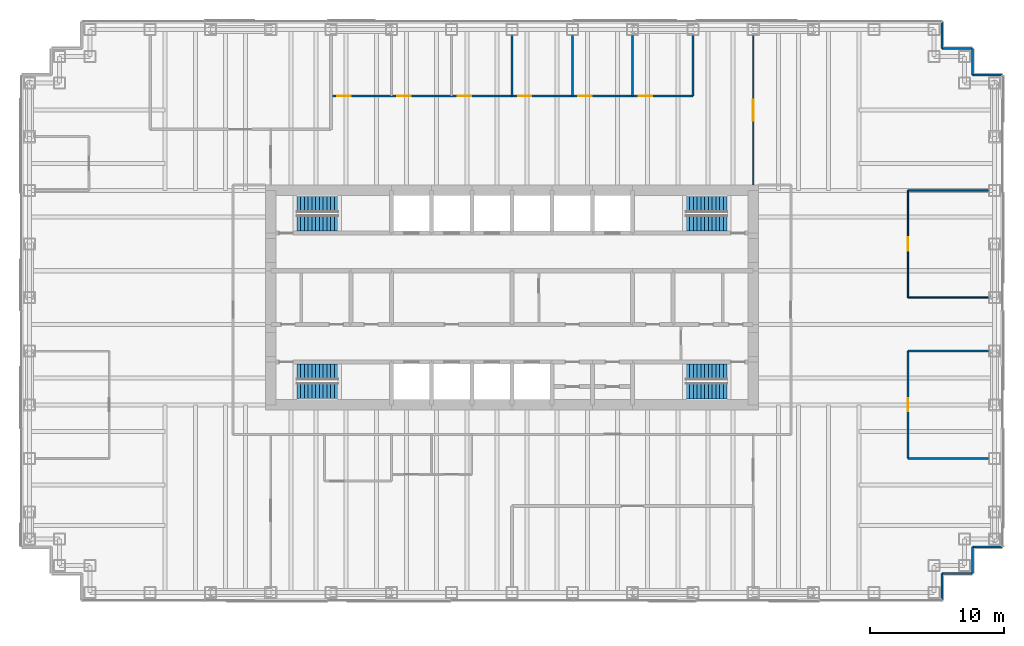
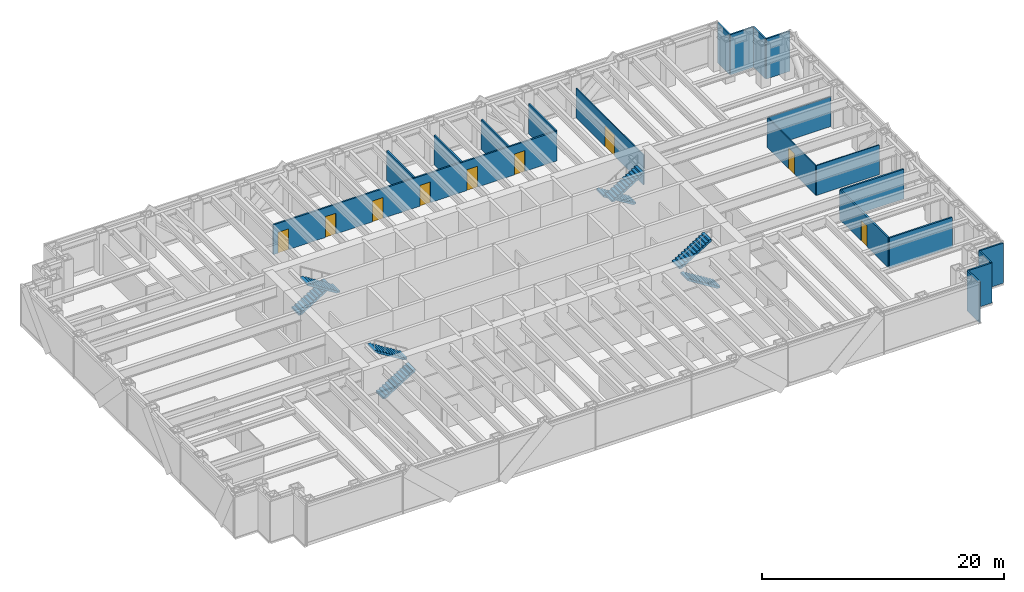
# One storey, part 13 of 14: 20 walls, 9 doors, 8 stair flights, 9 openings, 4 elements without a shape of their own.
"""IFC4 building model written with IfcOpenShell, lengths in metres."""

from ifc_helpers import new_model, si_unit, direction, frame, frame_2d, origin, place, context, subcontext, project, spatial, polyline, rectangle, outline, extrude, material, layer, layer_set, type_object, element, fill, aggregate, save


model = new_model("IFC4")

# Units and contexts
model_context = context("Model", 3, precision=1e-05, world=origin(), true_north=direction((0.0, 1.0)))
body_context = subcontext(model_context, "Body", "Model", "MODEL_VIEW")
ifc_project = project(units=[si_unit("LENGTHUNIT", "METRE"), si_unit("AREAUNIT", "SQUARE_METRE"), si_unit("VOLUMEUNIT", "CUBIC_METRE"), si_unit("PLANEANGLEUNIT", "RADIAN"), si_unit("MASSUNIT", "GRAM", prefix="KILO")], contexts=[model_context])

# Site, building, storey
site_placement = place(None, origin())
site = spatial("IfcSite", under=ifc_project, at=site_placement, CompositionType="ELEMENT")
building_placement = place(site_placement, origin())
building = spatial("IfcBuilding", under=site, at=building_placement, Name="Rheinbord Bourse Tower", CompositionType="ELEMENT")
storey_placement = place(building_placement, frame((0.0, 0.0, 232.0)))
storey = spatial("IfcBuildingStorey", under=building, at=storey_placement, Name="L52", CompositionType="ELEMENT", Elevation=232.0)

# Walls
ifc_material_1 = material(Name="Black metal rainscreen panel", Category="aluminium")
ifc_layer_1 = layer(ifc_material_1, 0.14990234375)
ifc_layer_set_1 = layer_set([ifc_layer_1], Name="CORNER PIER CLADDING 150")
wall_type_1 = type_object("IfcWallType", Name="CORNER PIER CLADDING 150", PredefinedType="ELEMENTEDWALL", material=ifc_layer_set_1)
wall_1_placement = place(storey_placement, frame((68.10009765625, 1.39990234375, 0.0), z_axis=(0.0, 0.0, 1.0), x_axis=(0.0, 1.0, 0.0)))
element("IfcWall", 1, at=wall_1_placement, inside=storey, type_object=wall_type_1, Name="Corner pier cladding L52 2", PredefinedType="ELEMENTEDWALL", context=body_context, shape_type="SweptSolid", body=[
    extrude(rectangle(XDim=2.0, YDim=0.14990234375, at=frame_2d((1.0, 0.0))), origin(), (0.0, 0.0, 1.0), 4.0400390625),
])
wall_2_placement = place(storey_placement, frame((68.10009765625, 3.39990234375, 0.0), z_axis=(0.0, 0.0, 1.0), x_axis=(1.0, 0.0, 0.0)))
element("IfcWall", 2, at=wall_2_placement, inside=storey, type_object=wall_type_1, Name="Corner pier cladding L52 3", PredefinedType="ELEMENTEDWALL", context=body_context, shape_type="SweptSolid", body=[
    extrude(rectangle(XDim=2.25, YDim=0.14990234375, at=frame_2d((1.125, 0.0))), origin(), (0.0, 0.0, 1.0), 4.0400390625),
])
wall_3_placement = place(storey_placement, frame((70.35009765625, 3.39990234375, 0.0), z_axis=(0.0, 0.0, 1.0), x_axis=(0.0, 1.0, 0.0)))
element("IfcWall", 3, at=wall_3_placement, inside=storey, type_object=wall_type_1, Name="Corner pier cladding L52 4", PredefinedType="ELEMENTEDWALL", context=body_context, shape_type="SweptSolid", body=[
    extrude(rectangle(XDim=2.0, YDim=0.14990234375, at=frame_2d((1.0, 0.0))), origin(), (0.0, 0.0, 1.0), 4.0400390625),
])
for number, where, z_axis, x_axis, name in (
    (4, (70.35009765625, 5.39990234375, 0.0), (0.0, 0.0, 1.0), (1.0, 0.0, 0.0), "Corner pier cladding L52 5"),
    (5, (72.60009765625, 40.60009765625, 0.0), (0.0, 0.0, 1.0), (-1.0, 0.0, 0.0), "Corner pier cladding L52 7"),
):
    element("IfcWall", number, at=place(storey_placement, frame(where, z_axis=z_axis, x_axis=x_axis)), inside=storey, type_object=wall_type_1, Name=name, PredefinedType="ELEMENTEDWALL", context=body_context, shape_type="SweptSolid", body=[
        extrude(rectangle(XDim=2.25, YDim=0.14990234375, at=frame_2d((1.125, 0.0))), origin(), (0.0, 0.0, 1.0), 4.0400390625),
    ])
wall_4_placement = place(storey_placement, frame((70.35009765625, 40.60009765625, 0.0), z_axis=(0.0, 0.0, 1.0), x_axis=(0.0, 1.0, 0.0)))
element("IfcWall", 6, at=wall_4_placement, inside=storey, type_object=wall_type_1, Name="Corner pier cladding L52 8", PredefinedType="ELEMENTEDWALL", context=body_context, shape_type="SweptSolid", body=[
    extrude(rectangle(XDim=2.0, YDim=0.14990234375, at=frame_2d((1.0, 0.0))), origin(), (0.0, 0.0, 1.0), 4.0400390625),
])
wall_5_placement = place(storey_placement, frame((70.35009765625, 42.60009765625, 0.0), z_axis=(0.0, 0.0, 1.0), x_axis=(-1.0, 0.0, 0.0)))
element("IfcWall", 7, at=wall_5_placement, inside=storey, type_object=wall_type_1, Name="Corner pier cladding L52 9", PredefinedType="ELEMENTEDWALL", context=body_context, shape_type="SweptSolid", body=[
    extrude(rectangle(XDim=2.25, YDim=0.14990234375, at=frame_2d((1.125, 0.0))), origin(), (0.0, 0.0, 1.0), 4.0400390625),
])
wall_6_placement = place(storey_placement, frame((68.10009765625, 42.60009765625, 0.0), z_axis=(0.0, 0.0, 1.0), x_axis=(0.0, 1.0, 0.0)))
element("IfcWall", 8, at=wall_6_placement, inside=storey, type_object=wall_type_1, Name="Corner pier cladding L52 10", PredefinedType="ELEMENTEDWALL", context=body_context, shape_type="SweptSolid", body=[
    extrude(rectangle(XDim=2.0, YDim=0.14990234375, at=frame_2d((1.0, 0.0))), origin(), (0.0, 0.0, 1.0), 4.0400390625),
])
ifc_material_2 = material(Name="Toughened laminated glass partition", Category="glass")
ifc_layer_2 = layer(ifc_material_2, 0.10009765625)
ifc_layer_set_2 = layer_set([ifc_layer_2], Name="GLAZED PARTITION 100")
wall_type_2 = type_object("IfcWallType", Name="GLAZED PARTITION 100", PredefinedType="PARTITIONING", material=ifc_layer_set_2)
for number, where, z_axis, x_axis, name in (
    (9, (65.550048828125, 24.0, 0.0), (0.0, 0.0, 1.0), (1.0, 0.0, 0.0), "Partition L52-11"),
    (10, (65.550048828125, 32.0, 0.0), (0.0, 0.0, 1.0), (1.0, 0.0, 0.0), "Partition L52-13"),
):
    element("IfcWall", number, at=place(storey_placement, frame(where, z_axis=z_axis, x_axis=x_axis)), inside=storey, type_object=wall_type_2, Name=name, PredefinedType="PARTITIONING", context=body_context, shape_type="SweptSolid", body=[
        extrude(rectangle(XDim=6.0, YDim=0.10009765625, at=frame_2d((3.0, 0.0))), origin(), (0.0, 0.0, 1.0), 3.0),
    ])

# Wall, opening, door
wall_7_placement = place(storey_placement, frame((54.0, 32.39990234375, 0.0), z_axis=(0.0, 0.0, 1.0), x_axis=(0.0, 1.0, 0.0)))
wall_7 = element("IfcWall", 11, at=wall_7_placement, inside=storey, type_object=wall_type_2, Name="Partition L52-39", PredefinedType="PARTITIONING", context=body_context, shape_type="SweptSolid", body=[
    extrude(rectangle(XDim=11.150146484375, YDim=0.10009765625, at=frame_2d((5.5751953125, 0.0))), origin(), (0.0, 0.0, 1.0), 3.0),
])
opening_1_placement = place(wall_7_placement, frame((4.77490234375, 0.0, 0.0)))
opening_1 = element("IfcOpeningElement", 12, at=opening_1_placement, cuts=wall_7, Name="Opening 52D19", PredefinedType="OPENING", context=body_context, shape_type="SweptSolid", body=[
    extrude(rectangle(XDim=1.60009765625, YDim=2.10009765625, at=frame_2d((0.800048828125, 1.050048828125))), frame((0.0, 0.06005859375, 0.0), z_axis=(0.0, -1.0, 0.0), x_axis=(1.0, 0.0, 0.0)), (0.0, 0.0, 1.0), 0.1201171875),
])
ifc_material_3 = material(Name="Timber door", Category="wood")
door_type_1 = type_object("IfcDoorType", Name="DOUBLE ROOM DOOR 1600", OperationType="DOUBLE_DOOR_DOUBLE_SWING", PredefinedType="DOOR", material=ifc_material_3)
door_1_placement = place(opening_1_placement, origin())
door_1 = element("IfcDoor", 13, at=door_1_placement, inside=storey, type_object=door_type_1, Name="Open area door L52", OperationType="SINGLE_SWING_LEFT", OverallHeight=2.10009765625, OverallWidth=1.60009765625, PredefinedType="DOOR", context=body_context, shape_type="SweptSolid", body=[
    extrude(rectangle(XDim=1.60009765625, YDim=2.10009765625, at=frame_2d((0.800048828125, 1.050048828125))), frame((0.0, 0.02490234375, 0.0), z_axis=(0.0, -1.0, 0.0), x_axis=(1.0, 0.0, 0.0)), (0.0, 0.0, 1.0), 0.050048828125),
])
fill(opening_1, door_1)

wall_8_placement = place(storey_placement, frame((65.550048828125, 24.0, 0.0), z_axis=(0.0, 0.0, 1.0), x_axis=(0.0, 1.0, 0.0)))
wall_8 = element("IfcWall", 14, at=wall_8_placement, inside=storey, type_object=wall_type_2, Name="Partition L52-42", PredefinedType="PARTITIONING", context=body_context, shape_type="SweptSolid", body=[
    extrude(rectangle(XDim=8.0, YDim=0.10009765625, at=frame_2d((4.0, 0.0))), origin(), (0.0, 0.0, 1.0), 3.0),
])
opening_2_placement = place(wall_8_placement, frame((3.5, 0.0, 0.0)))
opening_2 = element("IfcOpeningElement", 15, at=opening_2_placement, cuts=wall_8, Name="Opening 52D07", PredefinedType="OPENING", context=body_context, shape_type="SweptSolid", body=[
    extrude(rectangle(XDim=1.0, YDim=2.10009765625, at=frame_2d((0.5, 1.050048828125))), frame((0.0, 0.06005859375, 0.0), z_axis=(0.0, -1.0, 0.0), x_axis=(1.0, 0.0, 0.0)), (0.0, 0.0, 1.0), 0.1201171875),
])
ifc_material_4 = material(Name="Timber door", Category="wood")
door_type_2 = type_object("IfcDoorType", Name="ROOM DOOR 1000", OperationType="SINGLE_SWING_LEFT", PredefinedType="DOOR", material=ifc_material_4)
door_2_placement = place(opening_2_placement, origin())
door_2 = element("IfcDoor", 16, at=door_2_placement, inside=storey, type_object=door_type_2, Name="Meeting room door L52", OperationType="SINGLE_SWING_LEFT", OverallHeight=2.10009765625, OverallWidth=1.0, PredefinedType="DOOR", context=body_context, shape_type="SweptSolid", body=[
    extrude(rectangle(XDim=1.0, YDim=2.10009765625, at=frame_2d((0.5, 1.050048828125))), frame((0.0, 0.02490234375, 0.0), z_axis=(0.0, -1.0, 0.0), x_axis=(1.0, 0.0, 0.0)), (0.0, 0.0, 1.0), 0.050048828125),
])
fill(opening_2, door_2)

# Walls
ifc_material_5 = material(Name="Gypsum board partition", Category="gypsum board")
ifc_layer_3 = layer(ifc_material_5, 0.14990234375)
ifc_layer_set_3 = layer_set([ifc_layer_3], Name="PARTITION 150")
wall_type_3 = type_object("IfcWallType", Name="PARTITION 150", PredefinedType="PARTITIONING", material=ifc_layer_set_3)
for number, where, z_axis, x_axis, name in (
    (17, (65.550048828125, 12.0, 0.0), (0.0, 0.0, 1.0), (1.0, 0.0, 0.0), "Partition L52-05"),
    (18, (65.550048828125, 20.0, 0.0), (0.0, 0.0, 1.0), (1.0, 0.0, 0.0), "Partition L52-10"),
):
    element("IfcWall", number, at=place(storey_placement, frame(where, z_axis=z_axis, x_axis=x_axis)), inside=storey, type_object=wall_type_3, Name=name, PredefinedType="PARTITIONING", context=body_context, shape_type="SweptSolid", body=[
        extrude(rectangle(XDim=6.0, YDim=0.14990234375, at=frame_2d((3.0, 0.0))), origin(), (0.0, 0.0, 1.0), 3.0),
    ])

# Wall, openings, doors
wall_9_placement = place(storey_placement, frame((22.5, 39.050048828125, 0.0), z_axis=(0.0, 0.0, 1.0), x_axis=(1.0, 0.0, 0.0)))
wall_9 = element("IfcWall", 19, at=wall_9_placement, inside=storey, type_object=wall_type_3, Name="Partition L52-18", PredefinedType="PARTITIONING", context=body_context, shape_type="SweptSolid", body=[
    extrude(rectangle(XDim=27.0, YDim=0.14990234375, at=frame_2d((13.5, 0.0))), origin(), (0.0, 0.0, 1.0), 3.0),
])
opening_3_placement = place(wall_9_placement, frame((0.449951171875, 0.0, 0.0)))
opening_3 = element("IfcOpeningElement", 20, at=opening_3_placement, cuts=wall_9, Name="Opening 52D10", PredefinedType="OPENING", context=body_context, shape_type="SweptSolid", body=[
    extrude(rectangle(XDim=1.0, YDim=2.10009765625, at=frame_2d((0.5, 1.050048828125))), frame((0.0, 0.0849609375, 0.0), z_axis=(0.0, -1.0, 0.0), x_axis=(1.0, 0.0, 0.0)), (0.0, 0.0, 1.0), 0.169921875),
])
opening_4_placement = place(wall_9_placement, frame((4.949951171875, 0.0, 0.0)))
opening_4 = element("IfcOpeningElement", 21, at=opening_4_placement, cuts=wall_9, Name="Opening 52D11", PredefinedType="OPENING", context=body_context, shape_type="SweptSolid", body=[
    extrude(rectangle(XDim=1.0, YDim=2.10009765625, at=frame_2d((0.5, 1.050048828125))), frame((0.0, 0.0849609375, 0.0), z_axis=(0.0, -1.0, 0.0), x_axis=(1.0, 0.0, 0.0)), (0.0, 0.0, 1.0), 0.169921875),
])
opening_5_placement = place(wall_9_placement, frame((9.449951171875, 0.0, 0.0)))
opening_5 = element("IfcOpeningElement", 22, at=opening_5_placement, cuts=wall_9, Name="Opening 52D12", PredefinedType="OPENING", context=body_context, shape_type="SweptSolid", body=[
    extrude(rectangle(XDim=1.0, YDim=2.10009765625, at=frame_2d((0.5, 1.050048828125))), frame((0.0, 0.0849609375, 0.0), z_axis=(0.0, -1.0, 0.0), x_axis=(1.0, 0.0, 0.0)), (0.0, 0.0, 1.0), 0.169921875),
])
opening_6_placement = place(wall_9_placement, frame((13.949951171875, 0.0, 0.0)))
opening_6 = element("IfcOpeningElement", 23, at=opening_6_placement, cuts=wall_9, Name="Opening 52D13", PredefinedType="OPENING", context=body_context, shape_type="SweptSolid", body=[
    extrude(rectangle(XDim=1.0, YDim=2.10009765625, at=frame_2d((0.5, 1.050048828125))), frame((0.0, 0.0849609375, 0.0), z_axis=(0.0, -1.0, 0.0), x_axis=(1.0, 0.0, 0.0)), (0.0, 0.0, 1.0), 0.169921875),
])
opening_7_placement = place(wall_9_placement, frame((18.449951171875, 0.0, 0.0)))
opening_7 = element("IfcOpeningElement", 24, at=opening_7_placement, cuts=wall_9, Name="Opening 52D14", PredefinedType="OPENING", context=body_context, shape_type="SweptSolid", body=[
    extrude(rectangle(XDim=1.0, YDim=2.10009765625, at=frame_2d((0.5, 1.050048828125))), frame((0.0, 0.0849609375, 0.0), z_axis=(0.0, -1.0, 0.0), x_axis=(1.0, 0.0, 0.0)), (0.0, 0.0, 1.0), 0.169921875),
])
opening_8_placement = place(wall_9_placement, frame((22.949951171875, 0.0, 0.0)))
opening_8 = element("IfcOpeningElement", 25, at=opening_8_placement, cuts=wall_9, Name="Opening 52D15", PredefinedType="OPENING", context=body_context, shape_type="SweptSolid", body=[
    extrude(rectangle(XDim=1.0, YDim=2.10009765625, at=frame_2d((0.5, 1.050048828125))), frame((0.0, 0.0849609375, 0.0), z_axis=(0.0, -1.0, 0.0), x_axis=(1.0, 0.0, 0.0)), (0.0, 0.0, 1.0), 0.169921875),
])
door_3_placement = place(opening_3_placement, origin())
door_3 = element("IfcDoor", 26, at=door_3_placement, inside=storey, type_object=door_type_2, Name="Office door L52", OperationType="SINGLE_SWING_LEFT", OverallHeight=2.10009765625, OverallWidth=1.0, PredefinedType="DOOR", context=body_context, shape_type="SweptSolid", body=[
    extrude(rectangle(XDim=1.0, YDim=2.10009765625, at=frame_2d((0.5, 1.050048828125))), frame((0.0, 0.02490234375, 0.0), z_axis=(0.0, -1.0, 0.0), x_axis=(1.0, 0.0, 0.0)), (0.0, 0.0, 1.0), 0.050048828125),
])
fill(opening_3, door_3)
door_4_placement = place(opening_4_placement, origin())
door_4 = element("IfcDoor", 27, at=door_4_placement, inside=storey, type_object=door_type_2, Name="Office door L52", OperationType="SINGLE_SWING_LEFT", OverallHeight=2.10009765625, OverallWidth=1.0, PredefinedType="DOOR", context=body_context, shape_type="SweptSolid", body=[
    extrude(rectangle(XDim=1.0, YDim=2.10009765625, at=frame_2d((0.5, 1.050048828125))), frame((0.0, 0.02490234375, 0.0), z_axis=(0.0, -1.0, 0.0), x_axis=(1.0, 0.0, 0.0)), (0.0, 0.0, 1.0), 0.050048828125),
])
fill(opening_4, door_4)
door_5_placement = place(opening_5_placement, origin())
door_5 = element("IfcDoor", 28, at=door_5_placement, inside=storey, type_object=door_type_2, Name="Office door L52", OperationType="SINGLE_SWING_LEFT", OverallHeight=2.10009765625, OverallWidth=1.0, PredefinedType="DOOR", context=body_context, shape_type="SweptSolid", body=[
    extrude(rectangle(XDim=1.0, YDim=2.10009765625, at=frame_2d((0.5, 1.050048828125))), frame((0.0, 0.02490234375, 0.0), z_axis=(0.0, -1.0, 0.0), x_axis=(1.0, 0.0, 0.0)), (0.0, 0.0, 1.0), 0.050048828125),
])
fill(opening_5, door_5)
door_6_placement = place(opening_6_placement, origin())
door_6 = element("IfcDoor", 29, at=door_6_placement, inside=storey, type_object=door_type_2, Name="Office door L52", OperationType="SINGLE_SWING_RIGHT", OverallHeight=2.10009765625, OverallWidth=1.0, PredefinedType="DOOR", context=body_context, shape_type="SweptSolid", body=[
    extrude(rectangle(XDim=1.0, YDim=2.10009765625, at=frame_2d((0.5, 1.050048828125))), frame((0.0, 0.02490234375, 0.0), z_axis=(0.0, -1.0, 0.0), x_axis=(1.0, 0.0, 0.0)), (0.0, 0.0, 1.0), 0.050048828125),
])
fill(opening_6, door_6)
door_7_placement = place(opening_7_placement, origin())
door_7 = element("IfcDoor", 30, at=door_7_placement, inside=storey, type_object=door_type_2, Name="Office door L52", OperationType="SINGLE_SWING_RIGHT", OverallHeight=2.10009765625, OverallWidth=1.0, PredefinedType="DOOR", context=body_context, shape_type="SweptSolid", body=[
    extrude(rectangle(XDim=1.0, YDim=2.10009765625, at=frame_2d((0.5, 1.050048828125))), frame((0.0, 0.02490234375, 0.0), z_axis=(0.0, -1.0, 0.0), x_axis=(1.0, 0.0, 0.0)), (0.0, 0.0, 1.0), 0.050048828125),
])
fill(opening_7, door_7)
door_8_placement = place(opening_8_placement, origin())
door_8 = element("IfcDoor", 31, at=door_8_placement, inside=storey, type_object=door_type_2, Name="Office door L52", OperationType="SINGLE_SWING_RIGHT", OverallHeight=2.10009765625, OverallWidth=1.0, PredefinedType="DOOR", context=body_context, shape_type="SweptSolid", body=[
    extrude(rectangle(XDim=1.0, YDim=2.10009765625, at=frame_2d((0.5, 1.050048828125))), frame((0.0, 0.02490234375, 0.0), z_axis=(0.0, -1.0, 0.0), x_axis=(1.0, 0.0, 0.0)), (0.0, 0.0, 1.0), 0.050048828125),
])
fill(opening_8, door_8)

# Walls
for number, where, z_axis, x_axis, name in (
    (32, (36.0, 39.050048828125, 0.0), (0.0, 0.0, 1.0), (0.0, 1.0, 0.0), "Partition L52-33"),
    (33, (40.5, 39.050048828125, 0.0), (0.0, 0.0, 1.0), (0.0, 1.0, 0.0), "Partition L52-34"),
    (34, (45.0, 39.050048828125, 0.0), (0.0, 0.0, 1.0), (0.0, 1.0, 0.0), "Partition L52-35"),
    (35, (49.5, 39.050048828125, 0.0), (0.0, 0.0, 1.0), (0.0, 1.0, 0.0), "Partition L52-36"),
):
    element("IfcWall", number, at=place(storey_placement, frame(where, z_axis=z_axis, x_axis=x_axis)), inside=storey, type_object=wall_type_3, Name=name, PredefinedType="PARTITIONING", context=body_context, shape_type="SweptSolid", body=[
        extrude(rectangle(XDim=4.5, YDim=0.14990234375, at=frame_2d((2.25, 0.0))), origin(), (0.0, 0.0, 1.0), 3.0),
    ])

# Wall, opening, door
wall_10_placement = place(storey_placement, frame((65.550048828125, 12.0, 0.0), z_axis=(0.0, 0.0, 1.0), x_axis=(0.0, 1.0, 0.0)))
wall_10 = element("IfcWall", 36, at=wall_10_placement, inside=storey, type_object=wall_type_3, Name="Partition L52-41", PredefinedType="PARTITIONING", context=body_context, shape_type="SweptSolid", body=[
    extrude(rectangle(XDim=8.0, YDim=0.14990234375, at=frame_2d((4.0, 0.0))), origin(), (0.0, 0.0, 1.0), 3.0),
])
opening_9_placement = place(wall_10_placement, frame((3.5, 0.0, 0.0)))
opening_9 = element("IfcOpeningElement", 37, at=opening_9_placement, cuts=wall_10, Name="Opening 52D05", PredefinedType="OPENING", context=body_context, shape_type="SweptSolid", body=[
    extrude(rectangle(XDim=1.0, YDim=2.10009765625, at=frame_2d((0.5, 1.050048828125))), frame((0.0, 0.0849609375, 0.0), z_axis=(0.0, -1.0, 0.0), x_axis=(1.0, 0.0, 0.0)), (0.0, 0.0, 1.0), 0.169921875),
])
door_9_placement = place(opening_9_placement, origin())
door_9 = element("IfcDoor", 38, at=door_9_placement, inside=storey, type_object=door_type_2, Name="Pantry door L52", OperationType="SINGLE_SWING_LEFT", OverallHeight=2.10009765625, OverallWidth=1.0, PredefinedType="DOOR", context=body_context, shape_type="SweptSolid", body=[
    extrude(rectangle(XDim=1.0, YDim=2.10009765625, at=frame_2d((0.5, 1.050048828125))), frame((0.0, 0.02490234375, 0.0), z_axis=(0.0, -1.0, 0.0), x_axis=(1.0, 0.0, 0.0)), (0.0, 0.0, 1.0), 0.050048828125),
])
fill(opening_9, door_9)

# Stair, stair flights
ifc_material_6 = material(Name="Concrete C30/37", Category="concrete")
stair_type = type_object("IfcStairType", Name="CORE STAIR HALF TURN 4200", PredefinedType="HALF_TURN_STAIR", material=ifc_material_6)
stair_1_placement = place(storey_placement, origin())
stair_1 = element("IfcStair", 39, at=stair_1_placement, inside=storey, type_object=stair_type, Name="Stair ST1 L52, type CS6", PredefinedType="HALF_TURN_STAIR")
ifc_material_7 = material(Name="Concrete C30/37", Category="concrete")
stair_flight_type = type_object("IfcStairFlightType", Name="CORE STAIR FLIGHT 1200, 12 RISERS", PredefinedType="STRAIGHT", material=ifc_material_7)
stair_flight_1_placement = place(storey_placement, frame((19.949951171875, 17.050048828125, 0.0), z_axis=(0.0, 0.0, 1.0), x_axis=(1.0, 0.0, 0.0)))
stair_flight_1 = element("IfcStairFlight", 40, at=stair_flight_1_placement, type_object=stair_flight_type, Name="STAIR L52 ST1 F1", NumberOfRisers=12, NumberOfTreads=11, PredefinedType="STRAIGHT", RiserHeight=0.175, TreadLength=0.28, context=body_context, shape_type="SweptSolid", body=[
    extrude(outline(polyline([(0.0, 0.0), (0.0, 0.175048828125), (0.280029296875, 0.175048828125), (0.280029296875, 0.35009765625), (0.56005859375, 0.35009765625), (0.56005859375, 0.52490234375), (0.840087890625, 0.52490234375), (0.840087890625, 0.699951171875), (1.1201171875, 0.699951171875), (1.1201171875, 0.875), (1.39990234375, 0.875), (1.39990234375, 1.050048828125), (1.679931640625, 1.050048828125), (1.679931640625, 1.22509765625), (1.9599609375, 1.22509765625), (1.9599609375, 1.39990234375), (2.239990234375, 1.39990234375), (2.239990234375, 1.574951171875), (2.52001953125, 1.574951171875), (2.52001953125, 1.75), (2.800048828125, 1.75), (2.800048828125, 1.925048828125), (3.080078125, 1.925048828125), (3.080078125, 2.10009765625), (3.080078125, 1.748291015625), (0.28271484375, 0.0), (0.0, 0.0)])), frame((0.0, 0.60009765625, 0.0), z_axis=(0.0, -1.0, 0.0), x_axis=(1.0, 0.0, 0.0)), (0.0, 0.0, 1.0), 1.199951171875),
])
stair_flight_2_placement = place(storey_placement, frame((23.030029296875, 18.449951171875, 2.10009765625), z_axis=(0.0, 0.0, 1.0), x_axis=(-1.0, 0.0, 0.0)))
stair_flight_2 = element("IfcStairFlight", 41, at=stair_flight_2_placement, type_object=stair_flight_type, Name="STAIR L52 ST1 F2", NumberOfRisers=12, NumberOfTreads=11, PredefinedType="STRAIGHT", RiserHeight=0.175, TreadLength=0.28, context=body_context, shape_type="SweptSolid", body=[
    extrude(outline(polyline([(0.0, 0.0), (0.0, 0.175048828125), (0.280029296875, 0.175048828125), (0.280029296875, 0.35009765625), (0.56005859375, 0.35009765625), (0.56005859375, 0.52490234375), (0.840087890625, 0.52490234375), (0.840087890625, 0.699951171875), (1.1201171875, 0.699951171875), (1.1201171875, 0.875), (1.39990234375, 0.875), (1.39990234375, 1.050048828125), (1.679931640625, 1.050048828125), (1.679931640625, 1.22509765625), (1.9599609375, 1.22509765625), (1.9599609375, 1.39990234375), (2.239990234375, 1.39990234375), (2.239990234375, 1.574951171875), (2.52001953125, 1.574951171875), (2.52001953125, 1.75), (2.800048828125, 1.75), (2.800048828125, 1.925048828125), (3.080078125, 1.925048828125), (3.080078125, 2.10009765625), (3.080078125, 1.748291015625), (0.28271484375, 0.0), (0.0, 0.0)])), frame((0.0, 0.60009765625, 0.0), z_axis=(0.0, -1.0, 0.0), x_axis=(1.0, 0.0, 0.0)), (0.0, 0.0, 1.0), 1.199951171875),
])
aggregate(stair_1, [stair_flight_1, stair_flight_2])

stair_2_placement = place(storey_placement, origin())
stair_2 = element("IfcStair", 42, at=stair_2_placement, inside=storey, type_object=stair_type, Name="Stair ST2 L52, type CS6", PredefinedType="HALF_TURN_STAIR")
stair_flight_3_placement = place(storey_placement, frame((19.949951171875, 30.949951171875, 0.0), z_axis=(0.0, 0.0, 1.0), x_axis=(1.0, 0.0, 0.0)))
stair_flight_3 = element("IfcStairFlight", 43, at=stair_flight_3_placement, type_object=stair_flight_type, Name="STAIR L52 ST2 F1", NumberOfRisers=12, NumberOfTreads=11, PredefinedType="STRAIGHT", RiserHeight=0.175, TreadLength=0.28, context=body_context, shape_type="SweptSolid", body=[
    extrude(outline(polyline([(0.0, 0.0), (0.0, 0.175048828125), (0.280029296875, 0.175048828125), (0.280029296875, 0.35009765625), (0.56005859375, 0.35009765625), (0.56005859375, 0.52490234375), (0.840087890625, 0.52490234375), (0.840087890625, 0.699951171875), (1.1201171875, 0.699951171875), (1.1201171875, 0.875), (1.39990234375, 0.875), (1.39990234375, 1.050048828125), (1.679931640625, 1.050048828125), (1.679931640625, 1.22509765625), (1.9599609375, 1.22509765625), (1.9599609375, 1.39990234375), (2.239990234375, 1.39990234375), (2.239990234375, 1.574951171875), (2.52001953125, 1.574951171875), (2.52001953125, 1.75), (2.800048828125, 1.75), (2.800048828125, 1.925048828125), (3.080078125, 1.925048828125), (3.080078125, 2.10009765625), (3.080078125, 1.748291015625), (0.28271484375, 0.0), (0.0, 0.0)])), frame((0.0, 0.60009765625, 0.0), z_axis=(0.0, -1.0, 0.0), x_axis=(1.0, 0.0, 0.0)), (0.0, 0.0, 1.0), 1.199951171875),
])
stair_flight_4_placement = place(storey_placement, frame((23.030029296875, 29.550048828125, 2.10009765625), z_axis=(0.0, 0.0, 1.0), x_axis=(-1.0, 0.0, 0.0)))
stair_flight_4 = element("IfcStairFlight", 44, at=stair_flight_4_placement, type_object=stair_flight_type, Name="STAIR L52 ST2 F2", NumberOfRisers=12, NumberOfTreads=11, PredefinedType="STRAIGHT", RiserHeight=0.175, TreadLength=0.28, context=body_context, shape_type="SweptSolid", body=[
    extrude(outline(polyline([(0.0, 0.0), (0.0, 0.175048828125), (0.280029296875, 0.175048828125), (0.280029296875, 0.35009765625), (0.56005859375, 0.35009765625), (0.56005859375, 0.52490234375), (0.840087890625, 0.52490234375), (0.840087890625, 0.699951171875), (1.1201171875, 0.699951171875), (1.1201171875, 0.875), (1.39990234375, 0.875), (1.39990234375, 1.050048828125), (1.679931640625, 1.050048828125), (1.679931640625, 1.22509765625), (1.9599609375, 1.22509765625), (1.9599609375, 1.39990234375), (2.239990234375, 1.39990234375), (2.239990234375, 1.574951171875), (2.52001953125, 1.574951171875), (2.52001953125, 1.75), (2.800048828125, 1.75), (2.800048828125, 1.925048828125), (3.080078125, 1.925048828125), (3.080078125, 2.10009765625), (3.080078125, 1.748291015625), (0.28271484375, 0.0), (0.0, 0.0)])), frame((0.0, 0.60009765625, 0.0), z_axis=(0.0, -1.0, 0.0), x_axis=(1.0, 0.0, 0.0)), (0.0, 0.0, 1.0), 1.199951171875),
])
aggregate(stair_2, [stair_flight_3, stair_flight_4])

stair_3_placement = place(storey_placement, origin())
stair_3 = element("IfcStair", 45, at=stair_3_placement, inside=storey, type_object=stair_type, Name="Stair ST3 L52, type CS6", PredefinedType="HALF_TURN_STAIR")
stair_flight_5_placement = place(storey_placement, frame((52.050048828125, 17.050048828125, 0.0), z_axis=(0.0, 0.0, 1.0), x_axis=(-1.0, 0.0, 0.0)))
stair_flight_5 = element("IfcStairFlight", 46, at=stair_flight_5_placement, type_object=stair_flight_type, Name="STAIR L52 ST3 F1", NumberOfRisers=12, NumberOfTreads=11, PredefinedType="STRAIGHT", RiserHeight=0.175, TreadLength=0.28, context=body_context, shape_type="SweptSolid", body=[
    extrude(outline(polyline([(0.0, 0.0), (0.0, 0.175048828125), (0.280029296875, 0.175048828125), (0.280029296875, 0.35009765625), (0.56005859375, 0.35009765625), (0.56005859375, 0.52490234375), (0.840087890625, 0.52490234375), (0.840087890625, 0.699951171875), (1.1201171875, 0.699951171875), (1.1201171875, 0.875), (1.39990234375, 0.875), (1.39990234375, 1.050048828125), (1.679931640625, 1.050048828125), (1.679931640625, 1.22509765625), (1.9599609375, 1.22509765625), (1.9599609375, 1.39990234375), (2.239990234375, 1.39990234375), (2.239990234375, 1.574951171875), (2.52001953125, 1.574951171875), (2.52001953125, 1.75), (2.800048828125, 1.75), (2.800048828125, 1.925048828125), (3.080078125, 1.925048828125), (3.080078125, 2.10009765625), (3.080078125, 1.748291015625), (0.28271484375, 0.0), (0.0, 0.0)])), frame((0.0, 0.60009765625, 0.0), z_axis=(0.0, -1.0, 0.0), x_axis=(1.0, 0.0, 0.0)), (0.0, 0.0, 1.0), 1.199951171875),
])
stair_flight_6_placement = place(storey_placement, frame((48.969970703125, 18.449951171875, 2.10009765625), z_axis=(0.0, 0.0, 1.0), x_axis=(1.0, 0.0, 0.0)))
stair_flight_6 = element("IfcStairFlight", 47, at=stair_flight_6_placement, type_object=stair_flight_type, Name="STAIR L52 ST3 F2", NumberOfRisers=12, NumberOfTreads=11, PredefinedType="STRAIGHT", RiserHeight=0.175, TreadLength=0.28, context=body_context, shape_type="SweptSolid", body=[
    extrude(outline(polyline([(0.0, 0.0), (0.0, 0.175048828125), (0.280029296875, 0.175048828125), (0.280029296875, 0.35009765625), (0.56005859375, 0.35009765625), (0.56005859375, 0.52490234375), (0.840087890625, 0.52490234375), (0.840087890625, 0.699951171875), (1.1201171875, 0.699951171875), (1.1201171875, 0.875), (1.39990234375, 0.875), (1.39990234375, 1.050048828125), (1.679931640625, 1.050048828125), (1.679931640625, 1.22509765625), (1.9599609375, 1.22509765625), (1.9599609375, 1.39990234375), (2.239990234375, 1.39990234375), (2.239990234375, 1.574951171875), (2.52001953125, 1.574951171875), (2.52001953125, 1.75), (2.800048828125, 1.75), (2.800048828125, 1.925048828125), (3.080078125, 1.925048828125), (3.080078125, 2.10009765625), (3.080078125, 1.748291015625), (0.28271484375, 0.0), (0.0, 0.0)])), frame((0.0, 0.60009765625, 0.0), z_axis=(0.0, -1.0, 0.0), x_axis=(1.0, 0.0, 0.0)), (0.0, 0.0, 1.0), 1.199951171875),
])
aggregate(stair_3, [stair_flight_5, stair_flight_6])

stair_4_placement = place(storey_placement, origin())
stair_4 = element("IfcStair", 48, at=stair_4_placement, inside=storey, type_object=stair_type, Name="Stair ST4 L52, type CS6", PredefinedType="HALF_TURN_STAIR")
stair_flight_7_placement = place(storey_placement, frame((52.050048828125, 30.949951171875, 0.0), z_axis=(0.0, 0.0, 1.0), x_axis=(-1.0, 0.0, 0.0)))
stair_flight_7 = element("IfcStairFlight", 49, at=stair_flight_7_placement, type_object=stair_flight_type, Name="STAIR L52 ST4 F1", NumberOfRisers=12, NumberOfTreads=11, PredefinedType="STRAIGHT", RiserHeight=0.175, TreadLength=0.28, context=body_context, shape_type="SweptSolid", body=[
    extrude(outline(polyline([(0.0, 0.0), (0.0, 0.175048828125), (0.280029296875, 0.175048828125), (0.280029296875, 0.35009765625), (0.56005859375, 0.35009765625), (0.56005859375, 0.52490234375), (0.840087890625, 0.52490234375), (0.840087890625, 0.699951171875), (1.1201171875, 0.699951171875), (1.1201171875, 0.875), (1.39990234375, 0.875), (1.39990234375, 1.050048828125), (1.679931640625, 1.050048828125), (1.679931640625, 1.22509765625), (1.9599609375, 1.22509765625), (1.9599609375, 1.39990234375), (2.239990234375, 1.39990234375), (2.239990234375, 1.574951171875), (2.52001953125, 1.574951171875), (2.52001953125, 1.75), (2.800048828125, 1.75), (2.800048828125, 1.925048828125), (3.080078125, 1.925048828125), (3.080078125, 2.10009765625), (3.080078125, 1.748291015625), (0.28271484375, 0.0), (0.0, 0.0)])), frame((0.0, 0.60009765625, 0.0), z_axis=(0.0, -1.0, 0.0), x_axis=(1.0, 0.0, 0.0)), (0.0, 0.0, 1.0), 1.199951171875),
])
stair_flight_8_placement = place(storey_placement, frame((48.969970703125, 29.550048828125, 2.10009765625), z_axis=(0.0, 0.0, 1.0), x_axis=(1.0, 0.0, 0.0)))
stair_flight_8 = element("IfcStairFlight", 50, at=stair_flight_8_placement, type_object=stair_flight_type, Name="STAIR L52 ST4 F2", NumberOfRisers=12, NumberOfTreads=11, PredefinedType="STRAIGHT", RiserHeight=0.175, TreadLength=0.28, context=body_context, shape_type="SweptSolid", body=[
    extrude(outline(polyline([(0.0, 0.0), (0.0, 0.175048828125), (0.280029296875, 0.175048828125), (0.280029296875, 0.35009765625), (0.56005859375, 0.35009765625), (0.56005859375, 0.52490234375), (0.840087890625, 0.52490234375), (0.840087890625, 0.699951171875), (1.1201171875, 0.699951171875), (1.1201171875, 0.875), (1.39990234375, 0.875), (1.39990234375, 1.050048828125), (1.679931640625, 1.050048828125), (1.679931640625, 1.22509765625), (1.9599609375, 1.22509765625), (1.9599609375, 1.39990234375), (2.239990234375, 1.39990234375), (2.239990234375, 1.574951171875), (2.52001953125, 1.574951171875), (2.52001953125, 1.75), (2.800048828125, 1.75), (2.800048828125, 1.925048828125), (3.080078125, 1.925048828125), (3.080078125, 2.10009765625), (3.080078125, 1.748291015625), (0.28271484375, 0.0), (0.0, 0.0)])), frame((0.0, 0.60009765625, 0.0), z_axis=(0.0, -1.0, 0.0), x_axis=(1.0, 0.0, 0.0)), (0.0, 0.0, 1.0), 1.199951171875),
])
aggregate(stair_4, [stair_flight_7, stair_flight_8])

save(model, "model.ifc")
